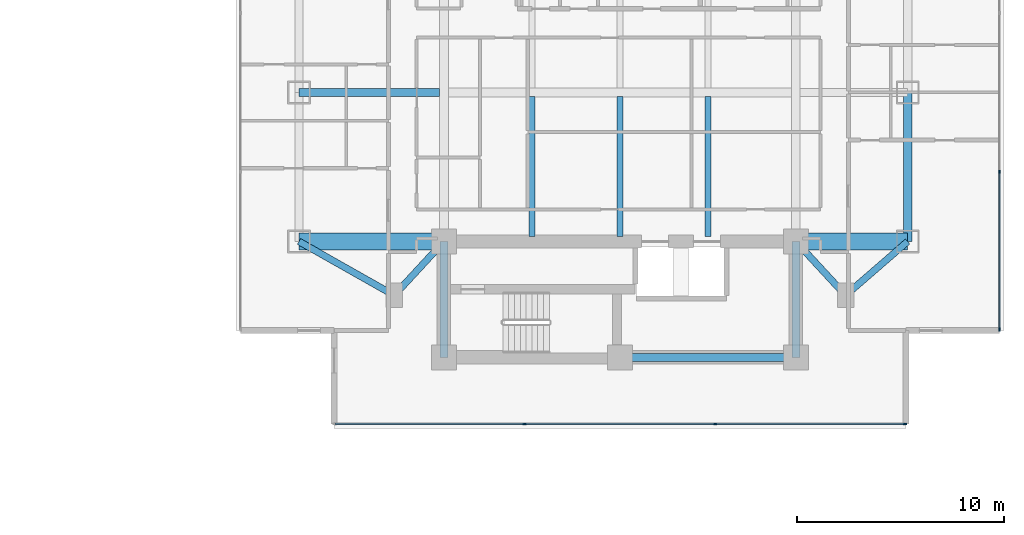
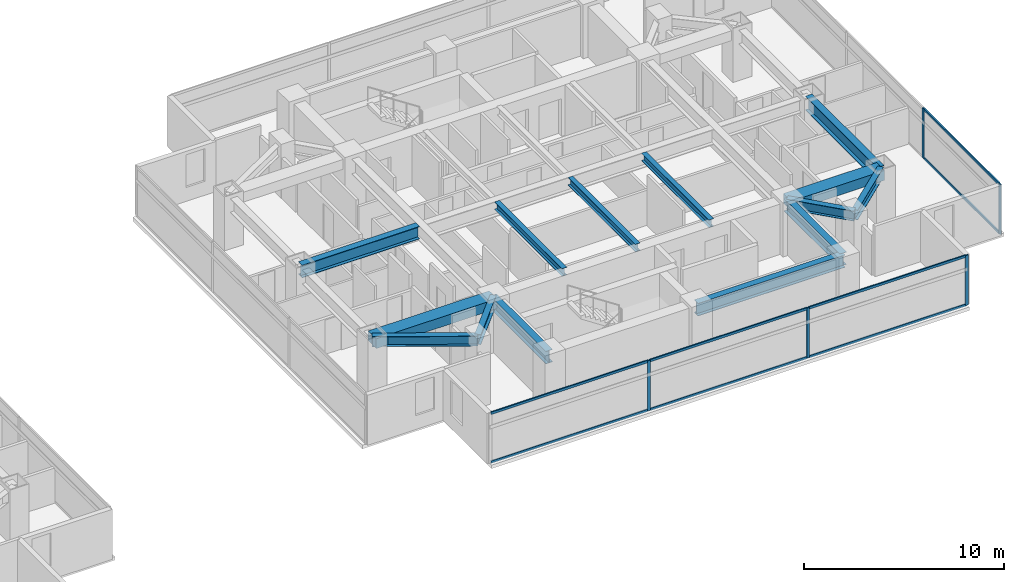
# One storey, part 8 of 25: 14 beams, 13 members, 2 elements without a shape of their own.
"""IFC4 building model written with IfcOpenShell, lengths in metres."""

from ifc_helpers import new_model, si_unit, direction, frame, origin, origin_2d, place, context, subcontext, project, spatial, rectangle, i_section, extrude, material, material_profile, profile_set, type_object, element, aggregate, save


model = new_model("IFC4")

# Units and contexts
model_context = context("Model", 3, precision=1e-05, world=origin(), true_north=direction((0.0, 1.0)))
body_context = subcontext(model_context, "Body", "Model", "MODEL_VIEW")
ifc_project = project(units=[si_unit("LENGTHUNIT", "METRE"), si_unit("AREAUNIT", "SQUARE_METRE"), si_unit("VOLUMEUNIT", "CUBIC_METRE"), si_unit("PLANEANGLEUNIT", "RADIAN"), si_unit("MASSUNIT", "GRAM", prefix="KILO")], contexts=[model_context])

# Site, building, storey
site_placement = place(None, origin())
site = spatial("IfcSite", under=ifc_project, at=site_placement, CompositionType="ELEMENT")
building_placement = place(site_placement, origin())
building = spatial("IfcBuilding", under=site, at=building_placement, Name="Mirazonda Arch Towers", CompositionType="ELEMENT")
storey_placement = place(building_placement, frame((0.0, 0.0, 104.89990234375)))
storey = spatial("IfcBuildingStorey", under=building, at=storey_placement, Name="L29", CompositionType="ELEMENT", Elevation=104.89990234375)

# Beams
ifc_material_1 = material(Name="Steel ASTM A992 Grade 50", Category="steel")
ifc_material_profile_1 = material_profile(ifc_material_1, i_section(OverallWidth=0.39990234375, OverallDepth=0.85595703125, WebThickness=0.018310546875, FlangeThickness=0.029296875, at=origin_2d()), Name="W33X201")
ifc_profile_set_1 = profile_set([ifc_material_profile_1], Name="Steel ASTM A992 Grade 50")
beam_type_1 = type_object("IfcBeamType", Name="BM-EXT-W33X201", PredefinedType="USERDEFINED", material=ifc_profile_set_1)
beam_1_placement = place(storey_placement, frame((90.39990234375, 20.800048828125, 2.652099609375), z_axis=(0.0, 1.0, 0.0), x_axis=(-1.0, 0.0, 0.0)))
element("IfcBeam", 1, at=beam_1_placement, inside=storey, type_object=beam_type_1, Name="L29 Floor Beam BM-T2-L29-NS-E-20", ObjectType="GIRDER", PredefinedType="USERDEFINED", context=body_context, shape_type="SweptSolid", body=[
    extrude(i_section(OverallWidth=0.39990234375, OverallDepth=0.85595703125, WebThickness=0.018310546875, FlangeThickness=0.029296875, at=origin_2d()), origin(), (0.0, 0.0, 1.0), 7.199951171875),
])
ifc_material_profile_2 = material_profile(ifc_material_1, i_section(OverallWidth=0.280029296875, OverallDepth=0.462890625, WebThickness=0.0107421875, FlangeThickness=0.017333984375, at=origin_2d()), Name="W18X76")
ifc_profile_set_2 = profile_set([ifc_material_profile_2], Name="Steel ASTM A992 Grade 50")
beam_type_2 = type_object("IfcBeamType", Name="BM-INT-W18X76", PredefinedType="JOIST", material=ifc_profile_set_2)
for number, where, z_axis, x_axis, name in (
    (2, (72.25, 21.0400390625, 2.8486328125), (0.0, 1.0, 0.0), (-1.0, 0.0, 0.0), "L29 Floor Beam BM-T2-L29-J-722-20"),
    (3, (76.5, 21.0400390625, 2.8486328125), (0.0, 1.0, 0.0), (-1.0, 0.0, 0.0), "L29 Floor Beam BM-T2-L29-J-765-20"),
    (4, (80.75, 21.0400390625, 2.8486328125), (0.0, 1.0, 0.0), (-1.0, 0.0, 0.0), "L29 Floor Beam BM-T2-L29-J-807-20"),
):
    element("IfcBeam", number, at=place(storey_placement, frame(where, z_axis=z_axis, x_axis=x_axis)), inside=storey, type_object=beam_type_2, Name=name, PredefinedType="JOIST", context=body_context, shape_type="SweptSolid", body=[
        extrude(i_section(OverallWidth=0.280029296875, OverallDepth=0.462890625, WebThickness=0.0107421875, FlangeThickness=0.017333984375, at=origin_2d()), origin(), (0.0, 0.0, 1.0), 6.7548828125),
    ])
ifc_material_profile_3 = material_profile(ifc_material_1, i_section(OverallWidth=0.324951171875, OverallDepth=0.615966796875, WebThickness=0.013916015625, FlangeThickness=0.021484375, at=origin_2d()), Name="W24X117")
ifc_profile_set_3 = profile_set([ifc_material_profile_3], Name="Steel ASTM A992 Grade 50")
beam_type_3 = type_object("IfcBeamType", Name="BM-INT-W24X117", PredefinedType="BEAM", material=ifc_profile_set_3)
beam_2_placement = place(storey_placement, frame((65.60009765625, 18.199951171875, 2.772216796875), z_axis=(0.678251444854, 0.734829897019, 0.0), x_axis=(-0.734829897019, 0.678251444854, 0.0)))
element("IfcBeam", 5, at=beam_2_placement, inside=storey, type_object=beam_type_3, Name="L29 Floor Beam BM-T2-L29-PL-SW1", PredefinedType="BEAM", context=body_context, shape_type="SweptSolid", body=[
    extrude(i_section(OverallWidth=0.324951171875, OverallDepth=0.615966796875, WebThickness=0.013916015625, FlangeThickness=0.021484375, at=origin_2d()), origin(), (0.0, 0.0, 1.0), 3.538330078125),
])
beam_3_placement = place(storey_placement, frame((65.60009765625, 18.199951171875, 2.772216796875), z_axis=(-0.870559396632, 0.492063346467, 0.0), x_axis=(-0.492063346467, -0.870559396632, 0.0)))
element("IfcBeam", 6, at=beam_3_placement, inside=storey, type_object=beam_type_3, Name="L29 Floor Beam BM-T2-L29-PL-SW2", PredefinedType="BEAM", context=body_context, shape_type="SweptSolid", body=[
    extrude(i_section(OverallWidth=0.324951171875, OverallDepth=0.615966796875, WebThickness=0.013916015625, FlangeThickness=0.021484375, at=origin_2d()), origin(), (0.0, 0.0, 1.0), 5.2841796875),
])
beam_4_placement = place(storey_placement, frame((87.39990234375, 18.199951171875, 2.772216796875), z_axis=(-0.678251444854, 0.734829897019, 0.0), x_axis=(-0.734829897019, -0.678251444854, 0.0)))
element("IfcBeam", 7, at=beam_4_placement, inside=storey, type_object=beam_type_3, Name="L29 Floor Beam BM-T2-L29-PL-SE1", PredefinedType="BEAM", context=body_context, shape_type="SweptSolid", body=[
    extrude(i_section(OverallWidth=0.324951171875, OverallDepth=0.615966796875, WebThickness=0.013916015625, FlangeThickness=0.021484375, at=origin_2d()), origin(), (0.0, 0.0, 1.0), 3.538330078125),
])
beam_5_placement = place(storey_placement, frame((87.39990234375, 18.199951171875, 2.772216796875), z_axis=(0.755676908098, 0.654944585876, 0.0), x_axis=(-0.654944585876, 0.755676908098, 0.0)))
element("IfcBeam", 8, at=beam_5_placement, inside=storey, type_object=beam_type_3, Name="L29 Floor Beam BM-T2-L29-PL-SE2", PredefinedType="BEAM", context=body_context, shape_type="SweptSolid", body=[
    extrude(i_section(OverallWidth=0.324951171875, OverallDepth=0.615966796875, WebThickness=0.013916015625, FlangeThickness=0.021484375, at=origin_2d()), origin(), (0.0, 0.0, 1.0), 3.969970703125),
])
ifc_material_profile_4 = material_profile(ifc_material_1, i_section(OverallWidth=0.381103515625, OverallDepth=0.77294921875, WebThickness=0.0166015625, FlangeThickness=0.027099609375, at=origin_2d()), Name="W30X173")
ifc_profile_set_4 = profile_set([ifc_material_profile_4], Name="Steel ASTM A992 Grade 50")
beam_type_4 = type_object("IfcBeamType", Name="BM-INT-W30X173", PredefinedType="USERDEFINED", material=ifc_profile_set_4)
beam_6_placement = place(storey_placement, frame((76.5, 15.199951171875, 2.693603515625), z_axis=(1.0, 0.0, 0.0), x_axis=(0.0, 1.0, 0.0)))
element("IfcBeam", 9, at=beam_6_placement, inside=storey, type_object=beam_type_4, Name="L29 Floor Beam BM-T2-L29-CS2", ObjectType="GIRDER", PredefinedType="USERDEFINED", context=body_context, shape_type="SweptSolid", body=[
    extrude(i_section(OverallWidth=0.381103515625, OverallDepth=0.77294921875, WebThickness=0.0166015625, FlangeThickness=0.027099609375, at=origin_2d()), origin(), (0.0, 0.0, 1.0), 8.5),
])
for number, where, z_axis, x_axis, name in (
    (10, (68.0, 15.199951171875, 2.693603515625), (0.0, 1.0, 0.0), (-1.0, 0.0, 0.0), "L29 Floor Beam BM-T2-L29-CSW"),
    (11, (85.0, 15.199951171875, 2.693603515625), (0.0, 1.0, 0.0), (-1.0, 0.0, 0.0), "L29 Floor Beam BM-T2-L29-CSE"),
):
    element("IfcBeam", number, at=place(storey_placement, frame(where, z_axis=z_axis, x_axis=x_axis)), inside=storey, type_object=beam_type_4, Name=name, ObjectType="GIRDER", PredefinedType="USERDEFINED", context=body_context, shape_type="SweptSolid", body=[
        extrude(i_section(OverallWidth=0.381103515625, OverallDepth=0.77294921875, WebThickness=0.0166015625, FlangeThickness=0.027099609375, at=origin_2d()), origin(), (0.0, 0.0, 1.0), 5.60009765625),
    ])
beam_7_placement = place(storey_placement, frame((61.0, 28.0, 2.693603515625), z_axis=(1.0, 0.0, 0.0), x_axis=(0.0, 1.0, 0.0)))
element("IfcBeam", 12, at=beam_7_placement, inside=storey, type_object=beam_type_4, Name="L29 Floor Beam BM-T2-L29-GW2", ObjectType="GIRDER", PredefinedType="USERDEFINED", context=body_context, shape_type="SweptSolid", body=[
    extrude(i_section(OverallWidth=0.381103515625, OverallDepth=0.77294921875, WebThickness=0.0166015625, FlangeThickness=0.027099609375, at=origin_2d()), origin(), (0.0, 0.0, 1.0), 6.791015625),
])
ifc_material_2 = material(Name="Concrete C60/75", Category="concrete")
ifc_material_profile_5 = material_profile(ifc_material_2, rectangle(XDim=0.800048828125, YDim=0.60009765625, at=origin_2d()), Name="RCCB800x600")
ifc_profile_set_5 = profile_set([ifc_material_profile_5], Name="Concrete C60/75")
beam_type_5 = type_object("IfcBeamType", Name="CB-INT-RCCB800x600", PredefinedType="SPANDREL", material=ifc_profile_set_5)
beam_8_placement = place(storey_placement, frame((61.0, 20.800048828125, 2.780029296875), z_axis=(1.0, 0.0, 0.0), x_axis=(0.0, 1.0, 0.0)))
element("IfcBeam", 13, at=beam_8_placement, inside=storey, type_object=beam_type_5, Name="L29 Floor Beam CBC-T2-L29-SW", PredefinedType="SPANDREL", context=body_context, shape_type="SweptSolid", body=[
    extrude(rectangle(XDim=0.800048828125, YDim=0.60009765625, at=origin_2d()), origin(), (0.0, 0.0, 1.0), 7.0),
])
beam_9_placement = place(storey_placement, frame((85.0, 20.800048828125, 2.780029296875), z_axis=(1.0, 0.0, 0.0), x_axis=(0.0, 1.0, 0.0)))
element("IfcBeam", 14, at=beam_9_placement, inside=storey, type_object=beam_type_5, Name="L29 Floor Beam CBC-T2-L29-SE", PredefinedType="SPANDREL", context=body_context, shape_type="SweptSolid", body=[
    extrude(rectangle(XDim=0.800048828125, YDim=0.60009765625, at=origin_2d()), origin(), (0.0, 0.0, 1.0), 5.39990234375),
])

# Curtain wall, members
ifc_material_3 = material(Name="Anodised Aluminium and Low-E Glass", Category="aluminium")
curtain_wall_type = type_object("IfcCurtainWallType", Name="CW-HTL-UNIT", PredefinedType="NOTDEFINED", material=ifc_material_3)
curtain_wall_1_placement = place(storey_placement, origin())
curtain_wall_1 = element("IfcCurtainWall", 15, at=curtain_wall_1_placement, inside=storey, type_object=curtain_wall_type, Name="L29 T2 S Facade CW-L29-T2-S", PredefinedType="NOTDEFINED")
ifc_material_4 = material(Name="Anodised Aluminium Alloy", Category="aluminium")
ifc_material_profile_6 = material_profile(ifc_material_4, rectangle(XDim=0.074951171875, YDim=0.1650390625, at=origin_2d()), Name="ALU-MULL-75x165")
ifc_profile_set_6 = profile_set([ifc_material_profile_6], Name="Anodised Aluminium Alloy")
member_type_1 = type_object("IfcMemberType", Name="MULL-CW-HTL-UNIT", PredefinedType="MULLION", material=ifc_profile_set_6)
member_1_placement = place(storey_placement, frame((90.27880859375, 11.986083984375, 0.0), z_axis=(0.0, 0.0, 1.0), x_axis=(0.0, -1.0, 0.0)))
member_1 = element("IfcMember", 16, at=member_1_placement, type_object=member_type_1, Name="CW-112 mullion 1", PredefinedType="MULLION", context=body_context, shape_type="SweptSolid", body=[
    extrude(rectangle(XDim=0.074951171875, YDim=0.1650390625, at=origin_2d()), origin(), (0.0, 0.0, 1.0), 3.06005859375),
])
member_2_placement = place(storey_placement, frame((81.10546875, 11.986083984375, 0.0), z_axis=(0.0, 0.0, 1.0), x_axis=(0.0, -1.0, 0.0)))
member_2 = element("IfcMember", 17, at=member_2_placement, type_object=member_type_1, Name="CW-112 mullion 2", PredefinedType="MULLION", context=body_context, shape_type="SweptSolid", body=[
    extrude(rectangle(XDim=0.074951171875, YDim=0.1650390625, at=origin_2d()), origin(), (0.0, 0.0, 1.0), 3.06005859375),
])
member_3_placement = place(storey_placement, frame((71.89453125, 11.986083984375, 0.0), z_axis=(0.0, 0.0, 1.0), x_axis=(0.0, -1.0, 0.0)))
member_3 = element("IfcMember", 18, at=member_3_placement, type_object=member_type_1, Name="CW-112 mullion 3", PredefinedType="MULLION", context=body_context, shape_type="SweptSolid", body=[
    extrude(rectangle(XDim=0.074951171875, YDim=0.1650390625, at=origin_2d()), origin(), (0.0, 0.0, 1.0), 3.06005859375),
])

curtain_wall_2_placement = place(storey_placement, origin())
curtain_wall_2 = element("IfcCurtainWall", 19, at=curtain_wall_2_placement, inside=storey, type_object=curtain_wall_type, Name="L29 T2 E Facade CW-L29-T2-E", PredefinedType="NOTDEFINED")
member_4_placement = place(storey_placement, frame((94.83251953125, 16.539794921875, 0.0), z_axis=(0.0, 0.0, 1.0), x_axis=(-1.0, 0.0, 0.0)))
member_4 = element("IfcMember", 20, at=member_4_placement, type_object=member_type_1, Name="CW-112 mullion 1", PredefinedType="MULLION", context=body_context, shape_type="SweptSolid", body=[
    extrude(rectangle(XDim=0.074951171875, YDim=0.1650390625, at=origin_2d()), origin(), (0.0, 0.0, 1.0), 3.06005859375),
])
member_5_placement = place(storey_placement, frame((94.83251953125, 24.16748046875, 0.0), z_axis=(0.0, 0.0, 1.0), x_axis=(-1.0, 0.0, 0.0)))
member_5 = element("IfcMember", 21, at=member_5_placement, type_object=member_type_1, Name="CW-112 mullion 2", PredefinedType="MULLION", context=body_context, shape_type="SweptSolid", body=[
    extrude(rectangle(XDim=0.074951171875, YDim=0.1650390625, at=origin_2d()), origin(), (0.0, 0.0, 1.0), 3.06005859375),
])

# Member
ifc_material_profile_7 = material_profile(ifc_material_4, rectangle(XDim=0.074951171875, YDim=0.14501953125, at=origin_2d()), Name="ALU-TRAN-75x145")
ifc_profile_set_7 = profile_set([ifc_material_profile_7], Name="Anodised Aluminium Alloy")
member_type_2 = type_object("IfcMemberType", Name="TRAN-CW-HTL-UNIT", PredefinedType="USERDEFINED", material=ifc_profile_set_7)
member_6_placement = place(storey_placement, frame((90.2412109375, 11.986083984375, 0.03759765625), z_axis=(-1.0, 0.0, 0.0), x_axis=(0.0, -1.0, 0.0)))
member_6 = element("IfcMember", 22, at=member_6_placement, type_object=member_type_2, Name="CW-112 transom 1.1", ObjectType="TRANSOM", PredefinedType="USERDEFINED", context=body_context, shape_type="SweptSolid", body=[
    extrude(rectangle(XDim=0.074951171875, YDim=0.14501953125, at=origin_2d()), origin(), (0.0, 0.0, 1.0), 9.098388671875),
])

member_7_placement = place(storey_placement, frame((90.2412109375, 11.986083984375, 3.022705078125), z_axis=(-1.0, 0.0, 0.0), x_axis=(0.0, -1.0, 0.0)))
member_7 = element("IfcMember", 23, at=member_7_placement, type_object=member_type_2, Name="CW-112 transom 1.2", ObjectType="TRANSOM", PredefinedType="USERDEFINED", context=body_context, shape_type="SweptSolid", body=[
    extrude(rectangle(XDim=0.074951171875, YDim=0.14501953125, at=origin_2d()), origin(), (0.0, 0.0, 1.0), 9.098388671875),
])

member_8_placement = place(storey_placement, frame((81.06787109375, 11.986083984375, 0.03759765625), z_axis=(-1.0, 0.0, 0.0), x_axis=(0.0, -1.0, 0.0)))
member_8 = element("IfcMember", 24, at=member_8_placement, type_object=member_type_2, Name="CW-112 transom 2.1", ObjectType="TRANSOM", PredefinedType="USERDEFINED", context=body_context, shape_type="SweptSolid", body=[
    extrude(rectangle(XDim=0.074951171875, YDim=0.14501953125, at=origin_2d()), origin(), (0.0, 0.0, 1.0), 9.1357421875),
])

member_9_placement = place(storey_placement, frame((81.06787109375, 11.986083984375, 3.022705078125), z_axis=(-1.0, 0.0, 0.0), x_axis=(0.0, -1.0, 0.0)))
member_9 = element("IfcMember", 25, at=member_9_placement, type_object=member_type_2, Name="CW-112 transom 2.2", ObjectType="TRANSOM", PredefinedType="USERDEFINED", context=body_context, shape_type="SweptSolid", body=[
    extrude(rectangle(XDim=0.074951171875, YDim=0.14501953125, at=origin_2d()), origin(), (0.0, 0.0, 1.0), 9.1357421875),
])

member_10_placement = place(storey_placement, frame((71.857177734375, 11.986083984375, 0.03759765625), z_axis=(-1.0, 0.0, 0.0), x_axis=(0.0, -1.0, 0.0)))
member_10 = element("IfcMember", 26, at=member_10_placement, type_object=member_type_2, Name="CW-112 transom 3.1", ObjectType="TRANSOM", PredefinedType="USERDEFINED", context=body_context, shape_type="SweptSolid", body=[
    extrude(rectangle(XDim=0.074951171875, YDim=0.14501953125, at=origin_2d()), origin(), (0.0, 0.0, 1.0), 9.098388671875),
])

member_11_placement = place(storey_placement, frame((71.857177734375, 11.986083984375, 3.022705078125), z_axis=(-1.0, 0.0, 0.0), x_axis=(0.0, -1.0, 0.0)))
member_11 = element("IfcMember", 27, at=member_11_placement, type_object=member_type_2, Name="CW-112 transom 3.2", ObjectType="TRANSOM", PredefinedType="USERDEFINED", context=body_context, shape_type="SweptSolid", body=[
    extrude(rectangle(XDim=0.074951171875, YDim=0.14501953125, at=origin_2d()), origin(), (0.0, 0.0, 1.0), 9.098388671875),
])

aggregate(curtain_wall_1, [member_1, member_2, member_3, member_6, member_7, member_8, member_9, member_10, member_11])

member_12_placement = place(storey_placement, frame((94.83251953125, 16.577392578125, 0.03759765625), z_axis=(0.0, 1.0, 0.0), x_axis=(-1.0, 0.0, 0.0)))
member_12 = element("IfcMember", 28, at=member_12_placement, type_object=member_type_2, Name="CW-112 transom 1.1", ObjectType="TRANSOM", PredefinedType="USERDEFINED", context=body_context, shape_type="SweptSolid", body=[
    extrude(rectangle(XDim=0.074951171875, YDim=0.14501953125, at=origin_2d()), origin(), (0.0, 0.0, 1.0), 7.552490234375),
])

member_13_placement = place(storey_placement, frame((94.83251953125, 16.577392578125, 3.022705078125), z_axis=(0.0, 1.0, 0.0), x_axis=(-1.0, 0.0, 0.0)))
member_13 = element("IfcMember", 29, at=member_13_placement, type_object=member_type_2, Name="CW-112 transom 1.2", ObjectType="TRANSOM", PredefinedType="USERDEFINED", context=body_context, shape_type="SweptSolid", body=[
    extrude(rectangle(XDim=0.074951171875, YDim=0.14501953125, at=origin_2d()), origin(), (0.0, 0.0, 1.0), 7.552490234375),
])

aggregate(curtain_wall_2, [member_4, member_5, member_12, member_13])

save(model, "model.ifc")
